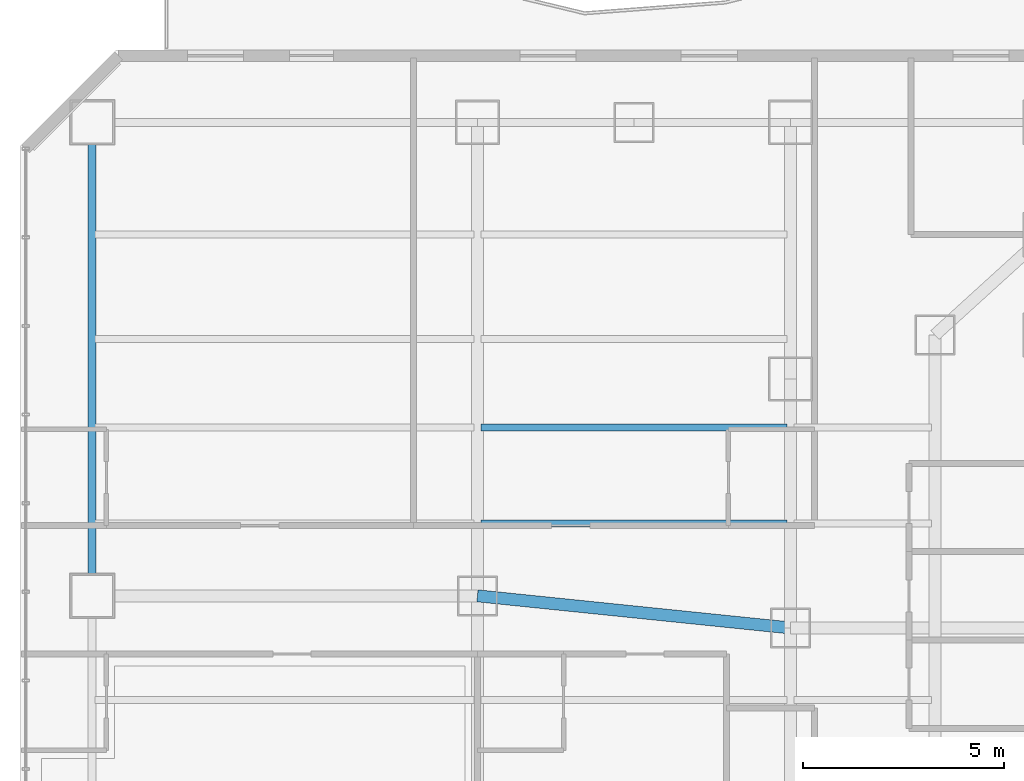
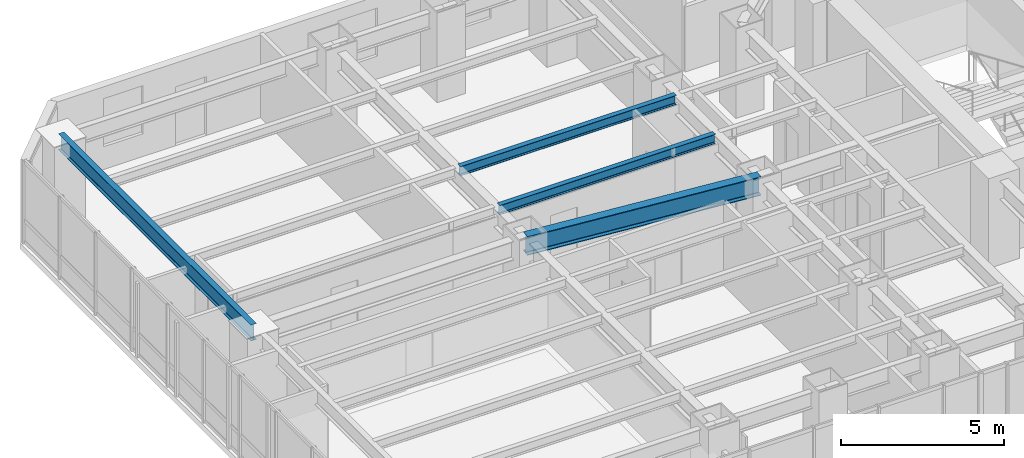
# One storey, part 21 of 39: 4 beams.
"""IFC4 building model written with IfcOpenShell, lengths in metres."""

from ifc_helpers import new_model, si_unit, direction, frame, origin, origin_2d, place, context, subcontext, project, spatial, i_section, extrude, material, material_profile, profile_set, type_object, element, save


model = new_model("IFC4")

# Units and contexts
model_context = context("Model", 3, precision=1e-05, world=origin(), true_north=direction((0.0, 1.0)))
body_context = subcontext(model_context, "Body", "Model", "MODEL_VIEW")
ifc_project = project(units=[si_unit("LENGTHUNIT", "METRE"), si_unit("AREAUNIT", "SQUARE_METRE"), si_unit("VOLUMEUNIT", "CUBIC_METRE"), si_unit("PLANEANGLEUNIT", "RADIAN"), si_unit("MASSUNIT", "GRAM", prefix="KILO")], contexts=[model_context])

# Site, building, storey
site_placement = place(None, origin())
site = spatial("IfcSite", under=ifc_project, at=site_placement, CompositionType="ELEMENT")
building_placement = place(site_placement, origin())
building = spatial("IfcBuilding", under=site, at=building_placement, Name="Hatsunagi Terrace Concourse", CompositionType="ELEMENT")
storey_placement = place(building_placement, frame((0.0, 0.0, 66.75)))
storey = spatial("IfcBuildingStorey", under=building, at=storey_placement, Name="L17", CompositionType="ELEMENT", Elevation=66.75)

# Beams
ifc_material_1 = material(Name="Steel SN490B", Category="steel")
ifc_material_profile_1 = material_profile(ifc_material_1, i_section(OverallWidth=0.300048828125, OverallDepth=0.699951171875, WebThickness=0.012939453125, FlangeThickness=0.02392578125, FilletRadius=0.02197265625, at=origin_2d()), Name="H-700x300x13x24")
ifc_profile_set_1 = profile_set([ifc_material_profile_1], Name="Steel SN490B")
beam_type_1 = type_object("IfcBeamType", Name="HotelFloorGirder_H_700x300", PredefinedType="BEAM", material=ifc_profile_set_1)
beam_1_placement = place(storey_placement, frame((11.39990234375, 36.800048828125, 2.780029296875), z_axis=(0.994780871372, -0.102034395927, 0.0), x_axis=(0.102034395927, 0.994780871372, 0.0)))
element("IfcBeam", 1, at=beam_1_placement, inside=storey, type_object=beam_type_1, Name="Beam G-04 BM-L17-EW-2", PredefinedType="BEAM", context=body_context, shape_type="SweptSolid", body=[
    extrude(i_section(OverallWidth=0.300048828125, OverallDepth=0.699951171875, WebThickness=0.012939453125, FlangeThickness=0.02392578125, FilletRadius=0.02197265625, at=origin_2d()), origin(), (0.0, 0.0, 1.0), 7.841064453125),
])
ifc_material_2 = material(Name="Steel SN490B", Category="steel")
ifc_material_profile_2 = material_profile(ifc_material_2, i_section(OverallWidth=0.175048828125, OverallDepth=0.35009765625, WebThickness=0.007080078125, FlangeThickness=0.010986328125, FilletRadius=0.012939453125, at=origin_2d()), Name="H-350x175x7x11")
ifc_profile_set_2 = profile_set([ifc_material_profile_2], Name="Steel SN490B")
beam_type_2 = type_object("IfcBeamType", Name="HotelJoist_H_350x175", PredefinedType="JOIST", material=ifc_profile_set_2)
for number, where, z_axis, x_axis, name in (
    (2, (11.485107421875, 38.60009765625, 2.955078125), (1.0, 0.0, 0.0), (0.0, 1.0, 0.0), "Beam J-02 J-L17-W-11-386"),
    (3, (11.485107421875, 41.0, 2.955078125), (1.0, 0.0, 0.0), (0.0, 1.0, 0.0), "Beam J-02 J-L17-W-11-410"),
):
    element("IfcBeam", number, at=place(storey_placement, frame(where, z_axis=z_axis, x_axis=x_axis)), inside=storey, type_object=beam_type_2, Name=name, PredefinedType="JOIST", context=body_context, shape_type="SweptSolid", body=[
        extrude(i_section(OverallWidth=0.175048828125, OverallDepth=0.35009765625, WebThickness=0.007080078125, FlangeThickness=0.010986328125, FilletRadius=0.012939453125, at=origin_2d()), origin(), (0.0, 0.0, 1.0), 7.6298828125),
    ])
ifc_material_3 = material(Name="Steel SN490B", Category="steel")
ifc_material_profile_3 = material_profile(ifc_material_3, i_section(OverallWidth=0.199951171875, OverallDepth=0.60009765625, WebThickness=0.010986328125, FlangeThickness=0.01708984375, FilletRadius=0.01806640625, at=origin_2d()), Name="H-600x200x11x17")
ifc_profile_set_3 = profile_set([ifc_material_profile_3], Name="Steel SN490B")
beam_type_3 = type_object("IfcBeamType", Name="PerimeterSpandrel_H_600x200", PredefinedType="SPANDREL", material=ifc_profile_set_3)
beam_2_placement = place(storey_placement, frame((1.800048828125, 36.800048828125, 2.830078125), z_axis=(0.0, 1.0, 0.0), x_axis=(-1.0, 0.0, 0.0)))
element("IfcBeam", 4, at=beam_2_placement, inside=storey, type_object=beam_type_3, Name="Beam SP-01 BM-L17-NS-1-36", PredefinedType="SPANDREL", context=body_context, shape_type="SweptSolid", body=[
    extrude(i_section(OverallWidth=0.199951171875, OverallDepth=0.60009765625, WebThickness=0.010986328125, FlangeThickness=0.01708984375, FilletRadius=0.01806640625, at=origin_2d()), origin(), (0.0, 0.0, 1.0), 11.800048828125),
])

save(model, "model.ifc")
